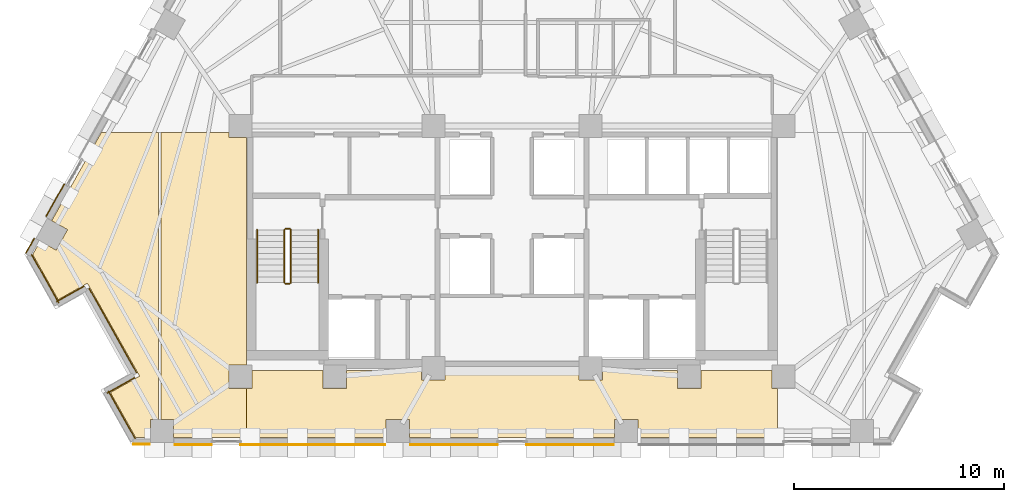
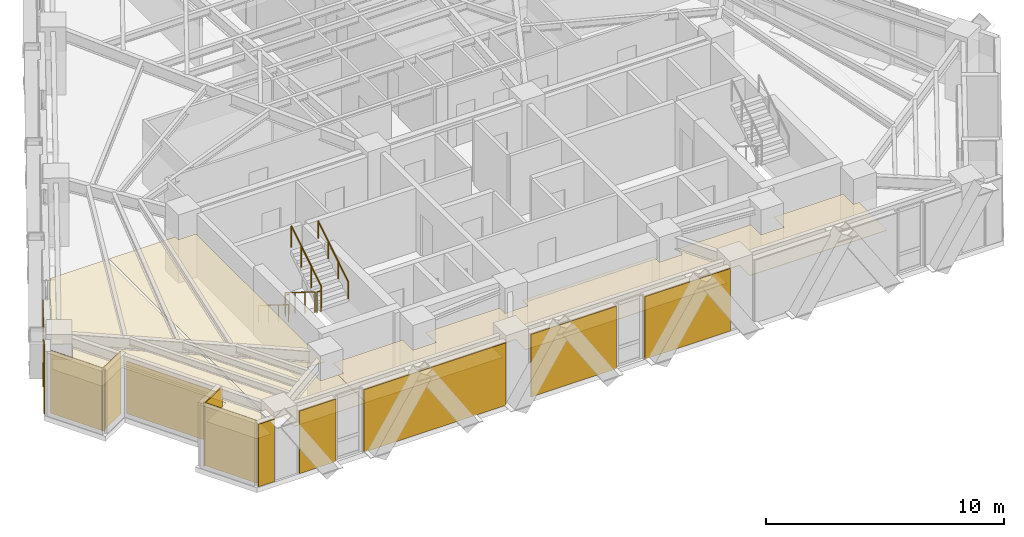
# One storey, part 10 of 13: 15 coverings, 6 railings.
"""IFC4 building model written with IfcOpenShell, lengths in metres."""

from ifc_helpers import new_model, si_unit, direction, frame, origin, origin_2d, place, context, subcontext, project, spatial, polyline, circle, outline, extrude, material, layer, layer_set, type_object, element, save


model = new_model("IFC4")

# Units and contexts
model_context = context("Model", 3, precision=1e-05, world=origin(), true_north=direction((0.0, 1.0)))
body_context = subcontext(model_context, "Body", "Model", "MODEL_VIEW")
ifc_project = project(units=[si_unit("LENGTHUNIT", "METRE"), si_unit("AREAUNIT", "SQUARE_METRE"), si_unit("VOLUMEUNIT", "CUBIC_METRE"), si_unit("PLANEANGLEUNIT", "RADIAN"), si_unit("MASSUNIT", "GRAM", prefix="KILO")], contexts=[model_context])

# Site, building, storey
site_placement = place(None, origin())
site = spatial("IfcSite", under=ifc_project, at=site_placement, CompositionType="ELEMENT")
building_placement = place(site_placement, origin())
building = spatial("IfcBuilding", under=site, at=building_placement, Name="Quenlor Broadcast Tower", CompositionType="ELEMENT")
storey_placement = place(building_placement, frame((0.0, 0.0, 116.0)))
storey = spatial("IfcBuildingStorey", under=building, at=storey_placement, Name="L31", CompositionType="ELEMENT", Elevation=116.0)

# Coverings
ifc_material_1 = material(Name="Acoustic Mineral Fibre Board", Category="other")
ifc_layer_1 = layer(ifc_material_1, 0.02490234375)
ifc_layer_set_1 = layer_set([ifc_layer_1], Name="Acoustic Perforated Mineral Tile Ceiling 25")
covering_type_1 = type_object("IfcCoveringType", Name="Acoustic Perforated Mineral Tile Ceiling 25", PredefinedType="CEILING", material=ifc_layer_set_1)
covering_1_placement = place(storey_placement, frame((0.0, 0.0, 2.22509765625)))
element("IfcCovering", 1, at=covering_1_placement, inside=storey, type_object=covering_type_1, Name="L31 Acoustic Ceiling L31-35-4", PredefinedType="CEILING", context=body_context, shape_type="SweptSolid", body=[
    extrude(outline(polyline([(-13.508056640625, -5.35791015625), (-12.64990234375, -5.35791015625), (-12.64990234375, -16.19189453125), (-13.508056640625, -16.19189453125), (-13.508056640625, -17.30810546875), (-12.64990234375, -17.30810546875), (-12.64990234375, -19.659912109375), (-16.134521484375, -19.659912109375), (-16.134521484375, -18.7919921875), (-16.739990234375, -18.7919921875), (-16.739990234375, -5.1201171875), (-13.508056640625, -5.1201171875), (-13.508056640625, -5.35791015625)])), origin(), (0.0, 0.0, 1.0), 0.02490234375),
])
covering_2_placement = place(storey_placement, frame((0.0, 0.0, 2.22509765625)))
element("IfcCovering", 2, at=covering_2_placement, inside=storey, type_object=covering_type_1, Name="L31 Acoustic Ceiling L31-35-5", PredefinedType="CEILING", context=body_context, shape_type="SweptSolid", body=[
    extrude(outline(polyline([(-16.860107421875, -18.7919921875), (-17.25048828125, -18.7919921875), (-17.25048828125, -19.659912109375), (-17.9453125, -19.659912109375), (-19.15380859375, -17.510986328125), (-17.759521484375, -16.7265625), (-20.25, -12.299072265625), (-21.64453125, -13.08349609375), (-22.85693359375, -10.927978515625), (-22.49853515625, -10.290771484375), (-21.741943359375, -10.71630859375), (-21.19482421875, -9.74365234375), (-21.951416015625, -9.318115234375), (-19.58984375, -5.1201171875), (-16.860107421875, -5.1201171875), (-16.860107421875, -18.7919921875)])), origin(), (0.0, 0.0, 1.0), 0.02490234375),
])
covering_3_placement = place(storey_placement, frame((0.0, 0.0, 2.22509765625)))
element("IfcCovering", 3, at=covering_3_placement, inside=storey, type_object=covering_type_1, Name="L31 Acoustic Ceiling L31-35-8", PredefinedType="CEILING", context=body_context, shape_type="SweptSolid", body=[
    extrude(outline(polyline([(-12.39208984375, -17.30810546875), (-12.39208984375, -16.449951171875), (-9.008056640625, -16.449951171875), (-9.008056640625, -17.30810546875), (-7.89208984375, -17.30810546875), (-7.89208984375, -16.449951171875), (-4.30810546875, -16.449951171875), (-4.30810546875, -16.907958984375), (-3.19189453125, -16.907958984375), (-3.19189453125, -16.449951171875), (3.19189453125, -16.449951171875), (3.19189453125, -16.907958984375), (4.30810546875, -16.907958984375), (4.30810546875, -16.449951171875), (7.89208984375, -16.449951171875), (7.89208984375, -17.30810546875), (9.008056640625, -17.30810546875), (9.008056640625, -16.449951171875), (12.39208984375, -16.449951171875), (12.39208984375, -17.30810546875), (12.64990234375, -17.30810546875), (12.64990234375, -19.659912109375), (6.001220703125, -19.659912109375), (6.001220703125, -18.7919921875), (4.88525390625, -18.7919921875), (4.88525390625, -19.659912109375), (-4.88525390625, -19.659912109375), (-4.88525390625, -18.7919921875), (-6.001220703125, -18.7919921875), (-6.001220703125, -19.659912109375), (-12.64990234375, -19.659912109375), (-12.64990234375, -17.30810546875), (-12.39208984375, -17.30810546875)])), origin(), (0.0, 0.0, 1.0), 0.02490234375),
])
ifc_material_2 = material(Name="Architectural Terracotta Ceramic", Category="masonry")
ifc_layer_2 = layer(ifc_material_2, 0.044921875)
ifc_layer_set_2 = layer_set([ifc_layer_2], Name="Fluted Terracotta Rainscreen Cladding Panel")
covering_type_2 = type_object("IfcCoveringType", Name="Fluted Terracotta Rainscreen Cladding Panel", PredefinedType="CLADDING", material=ifc_layer_set_2)
covering_4_placement = place(storey_placement, frame((0.0, 0.0, 0.02001953125)))
element("IfcCovering", 4, at=covering_4_placement, inside=storey, type_object=covering_type_2, Name="L31 Terracotta Rainscreen Cladding L31-SHD-SS1", PredefinedType="CLADDING", context=body_context, shape_type="SweptSolid", body=[
    extrude(outline(polyline([(-17.277587890625, -19.951904296875), (-18.053955078125, -19.951904296875), (-18.053955078125, -19.9970703125), (-17.277587890625, -19.9970703125), (-17.277587890625, -19.951904296875)])), origin(), (0.0, 0.0, 1.0), 3.2099609375),
])
covering_5_placement = place(storey_placement, frame((0.0, 0.0, 0.02001953125)))
element("IfcCovering", 5, at=covering_5_placement, inside=storey, type_object=covering_type_2, Name="L31 Terracotta Rainscreen Cladding L31-SC-SP1", PredefinedType="CLADDING", context=body_context, shape_type="SweptSolid", body=[
    extrude(outline(polyline([(-6.048095703125, -19.971923828125), (-12.94873046875, -19.971923828125), (-12.94873046875, -20.01708984375), (-6.048095703125, -20.01708984375), (-6.048095703125, -19.971923828125)])), origin(), (0.0, 0.0, 1.0), 3.2099609375),
])
covering_6_placement = place(storey_placement, frame((0.0, 0.0, 0.02001953125)))
element("IfcCovering", 6, at=covering_6_placement, inside=storey, type_object=covering_type_2, Name="L31 Terracotta Rainscreen Cladding L31-SC-SP2", PredefinedType="CLADDING", context=body_context, shape_type="SweptSolid", body=[
    extrude(outline(polyline([(-14.32177734375, -19.971923828125), (-16.08740234375, -19.971923828125), (-16.08740234375, -20.01708984375), (-14.32177734375, -20.01708984375), (-14.32177734375, -19.971923828125)])), origin(), (0.0, 0.0, 1.0), 3.2099609375),
])
covering_7_placement = place(storey_placement, frame((0.0, 0.0, 0.02001953125)))
element("IfcCovering", 7, at=covering_7_placement, inside=storey, type_object=covering_type_2, Name="L31 Terracotta Rainscreen Cladding L31-S-SP1", PredefinedType="CLADDING", context=body_context, shape_type="SweptSolid", body=[
    extrude(outline(polyline([(4.84326171875, -19.971923828125), (0.6865234375, -19.971923828125), (0.6865234375, -20.01708984375), (4.84326171875, -20.01708984375), (4.84326171875, -19.971923828125)])), origin(), (0.0, 0.0, 1.0), 3.2099609375),
])
covering_8_placement = place(storey_placement, frame((0.0, 0.0, 0.02001953125)))
element("IfcCovering", 8, at=covering_8_placement, inside=storey, type_object=covering_type_2, Name="L31 Terracotta Rainscreen Cladding L31-S-SP2", PredefinedType="CLADDING", context=body_context, shape_type="SweptSolid", body=[
    extrude(outline(polyline([(-0.6865234375, -19.971923828125), (-4.84326171875, -19.971923828125), (-4.84326171875, -20.01708984375), (-0.6865234375, -20.01708984375), (-0.6865234375, -19.971923828125)])), origin(), (0.0, 0.0, 1.0), 3.2099609375),
])
covering_9_placement = place(storey_placement, frame((0.0, 0.0, 0.02001953125)))
element("IfcCovering", 9, at=covering_9_placement, inside=storey, type_object=covering_type_2, Name="L31 Terracotta Rainscreen Cladding L31-SHD-NWS0", PredefinedType="CLADDING", context=body_context, shape_type="SweptSolid", body=[
    extrude(outline(polyline([(-23.160888671875, -10.873046875), (-22.76611328125, -10.171142578125), (-22.805419921875, -10.149169921875), (-23.2001953125, -10.85107421875), (-23.160888671875, -10.873046875)])), origin(), (0.0, 0.0, 1.0), 3.2099609375),
])
covering_10_placement = place(storey_placement, frame((0.0, 0.0, 0.02001953125)))
element("IfcCovering", 10, at=covering_10_placement, inside=storey, type_object=covering_type_2, Name="L31 Terracotta Rainscreen Cladding L31-NWA-SP1", PredefinedType="CLADDING", context=body_context, shape_type="SweptSolid", body=[
    extrude(outline(polyline([(-22.2001953125, -9.1240234375), (-21.325927734375, -7.56982421875), (-21.364990234375, -7.5478515625), (-22.239501953125, -9.10205078125), (-22.2001953125, -9.1240234375)])), origin(), (0.0, 0.0, 1.0), 3.2099609375),
])
covering_11_placement = place(storey_placement, frame((0.0, 0.0, 0.02001953125)))
element("IfcCovering", 11, at=covering_11_placement, inside=storey, type_object=covering_type_2, Name="L31 Terracotta Rainscreen Cladding L31-CNR-12", PredefinedType="CLADDING", context=body_context, shape_type="SweptSolid", body=[
    extrude(outline(polyline([(-22.931396484375, -10.93408203125), (-21.630126953125, -13.24755859375), (-21.591064453125, -13.2255859375), (-22.892333984375, -10.912109375), (-22.931396484375, -10.93408203125)])), origin(), (0.0, 0.0, 1.0), 3.2099609375),
])
covering_12_placement = place(storey_placement, frame((0.0, 0.0, 0.02001953125)))
element("IfcCovering", 12, at=covering_12_placement, inside=storey, type_object=covering_type_2, Name="L31 Terracotta Rainscreen Cladding L31-CNR-13", PredefinedType="CLADDING", context=body_context, shape_type="SweptSolid", body=[
    extrude(outline(polyline([(-21.70703125, -13.19677734375), (-20.399658203125, -12.461181640625), (-20.421630859375, -12.422119140625), (-21.72900390625, -13.157470703125), (-21.70703125, -13.19677734375)])), origin(), (0.0, 0.0, 1.0), 3.2099609375),
])
covering_13_placement = place(storey_placement, frame((0.0, 0.0, 0.02001953125)))
element("IfcCovering", 13, at=covering_13_placement, inside=storey, type_object=covering_type_2, Name="L31 Terracotta Rainscreen Cladding L31-CNR-14", PredefinedType="CLADDING", context=body_context, shape_type="SweptSolid", body=[
    extrude(outline(polyline([(-20.186767578125, -12.55029296875), (-17.921630859375, -16.576904296875), (-17.88232421875, -16.554931640625), (-20.1474609375, -12.5283203125), (-20.186767578125, -12.55029296875)])), origin(), (0.0, 0.0, 1.0), 2.681884765625),
])
covering_14_placement = place(storey_placement, frame((0.0, 0.0, 0.02001953125)))
element("IfcCovering", 14, at=covering_14_placement, inside=storey, type_object=covering_type_2, Name="L31 Terracotta Rainscreen Cladding L31-CNR-15", PredefinedType="CLADDING", context=body_context, shape_type="SweptSolid", body=[
    extrude(outline(polyline([(-18.010498046875, -16.789794921875), (-19.31787109375, -17.525390625), (-19.2958984375, -17.564697265625), (-17.988525390625, -16.8291015625), (-18.010498046875, -16.789794921875)])), origin(), (0.0, 0.0, 1.0), 3.2099609375),
])
covering_15_placement = place(storey_placement, frame((0.0, 0.0, 0.02001953125)))
element("IfcCovering", 15, at=covering_15_placement, inside=storey, type_object=covering_type_2, Name="L31 Terracotta Rainscreen Cladding L31-CNR-16", PredefinedType="CLADDING", context=body_context, shape_type="SweptSolid", body=[
    extrude(outline(polyline([(-19.26708984375, -17.448486328125), (-17.987060546875, -19.72412109375), (-17.947998046875, -19.7021484375), (-19.227783203125, -17.426513671875), (-19.26708984375, -17.448486328125)])), origin(), (0.0, 0.0, 1.0), 3.2099609375),
])

# Railings
ifc_material_3 = material(Name="Anodised Aluminium", Category="aluminium")
railing_type_1 = type_object("IfcRailingType", Name="Stainless Aluminium Wall Handrail 900", PredefinedType="HANDRAIL", material=ifc_material_3)
railing_1_placement = place(storey_placement, frame((-12.14990234375, -9.75, 0.175048828125)))
element("IfcRailing", 16, at=railing_1_placement, inside=storey, type_object=railing_type_1, Name="L31 ST-1 stair handrail 1", PredefinedType="HANDRAIL", context=body_context, shape_type="SweptSolid", body=[
    extrude(circle(Radius=0.02392578125, at=origin_2d()), frame((0.0, 0.0, 0.8759765625), z_axis=(0.0, -0.848007534815, 0.529984170421), x_axis=(1.0, 0.0, 0.0)), (0.0, 0.0, 1.0), 2.9716796875),
    extrude(circle(Radius=0.02099609375, at=origin_2d()), origin(), (0.0, 0.0, 1.0), 0.851806640625),
    extrude(circle(Radius=0.02099609375, at=origin_2d()), frame((0.0, -0.840087890625, 0.52490234375)), (0.0, 0.0, 1.0), 0.851806640625),
    extrude(circle(Radius=0.02099609375, at=origin_2d()), frame((0.0, -1.679931640625, 1.050048828125)), (0.0, 0.0, 1.0), 0.851806640625),
    extrude(circle(Radius=0.02099609375, at=origin_2d()), frame((0.0, -2.52001953125, 1.574951171875)), (0.0, 0.0, 1.0), 0.851806640625),
])
railing_2_placement = place(storey_placement, frame((-9.25, -12.27001953125, 1.925048828125)))
element("IfcRailing", 17, at=railing_2_placement, inside=storey, type_object=railing_type_1, Name="L31 ST-1 stair handrail 2", PredefinedType="HANDRAIL", context=body_context, shape_type="SweptSolid", body=[
    extrude(circle(Radius=0.02392578125, at=origin_2d()), frame((0.0, 0.0, 0.8759765625), z_axis=(0.0, 0.848007534815, 0.529984170421), x_axis=(-1.0, 0.0, 0.0)), (0.0, 0.0, 1.0), 2.9716796875),
    extrude(circle(Radius=0.02099609375, at=origin_2d()), origin(), (0.0, 0.0, 1.0), 0.851806640625),
    extrude(circle(Radius=0.02099609375, at=origin_2d()), frame((0.0, 0.840087890625, 0.52490234375)), (0.0, 0.0, 1.0), 0.851806640625),
    extrude(circle(Radius=0.02099609375, at=origin_2d()), frame((0.0, 1.679931640625, 1.050048828125)), (0.0, 0.0, 1.0), 0.851806640625),
    extrude(circle(Radius=0.02099609375, at=origin_2d()), frame((0.0, 2.52001953125, 1.574951171875)), (0.0, 0.0, 1.0), 0.851806640625),
])
ifc_material_4 = material(Name="Steel S355", Category="steel")
railing_type_2 = type_object("IfcRailingType", Name="Tubular Steel S355 Stair Guardrail 1100", PredefinedType="BALUSTRADE", material=ifc_material_4)
railing_3_placement = place(storey_placement, frame((-10.85009765625, -9.75, 0.175048828125)))
element("IfcRailing", 18, at=railing_3_placement, inside=storey, type_object=railing_type_2, Name="L31 ST-1 stair guard 1", PredefinedType="BALUSTRADE", context=body_context, shape_type="SweptSolid", body=[
    extrude(circle(Radius=0.02392578125, at=origin_2d()), frame((0.0, 0.0, 1.076171875), z_axis=(0.0, -0.848007534815, 0.529984170421), x_axis=(1.0, 0.0, 0.0)), (0.0, 0.0, 1.0), 2.9716796875),
    extrude(circle(Radius=0.02099609375, at=origin_2d()), origin(), (0.0, 0.0, 1.0), 1.052001953125),
    extrude(circle(Radius=0.02099609375, at=origin_2d()), frame((0.0, -0.840087890625, 0.52490234375)), (0.0, 0.0, 1.0), 1.052001953125),
    extrude(circle(Radius=0.02099609375, at=origin_2d()), frame((0.0, -1.679931640625, 1.050048828125)), (0.0, 0.0, 1.0), 1.052001953125),
    extrude(circle(Radius=0.02099609375, at=origin_2d()), frame((0.0, -2.52001953125, 1.574951171875)), (0.0, 0.0, 1.0), 1.052001953125),
])
railing_4_placement = place(storey_placement, frame((-10.800048828125, -12.320068359375, 1.75)))
element("IfcRailing", 19, at=railing_4_placement, inside=storey, type_object=railing_type_2, Name="L31 ST-1 stair guard 2", PredefinedType="BALUSTRADE", context=body_context, shape_type="SweptSolid", body=[
    extrude(circle(Radius=0.02392578125, at=origin_2d()), frame((0.0, 0.0, 1.076171875), z_axis=(1.0, 0.0, 0.0), x_axis=(0.0, 1.0, 0.0)), (0.0, 0.0, 1.0), 0.199951171875),
    extrude(circle(Radius=0.02099609375, at=origin_2d()), origin(), (0.0, 0.0, 1.0), 1.052001953125),
    extrude(circle(Radius=0.02099609375, at=origin_2d()), frame((0.199951171875, 0.0, 0.0)), (0.0, 0.0, 1.0), 1.052001953125),
])
railing_5_placement = place(storey_placement, frame((-10.550048828125, -12.27001953125, 1.925048828125)))
element("IfcRailing", 20, at=railing_5_placement, inside=storey, type_object=railing_type_2, Name="L31 ST-1 stair guard 3", PredefinedType="BALUSTRADE", context=body_context, shape_type="SweptSolid", body=[
    extrude(circle(Radius=0.02392578125, at=origin_2d()), frame((0.0, 0.0, 1.076171875), z_axis=(0.0, 0.848007534815, 0.529984170421), x_axis=(-1.0, 0.0, 0.0)), (0.0, 0.0, 1.0), 2.9716796875),
    extrude(circle(Radius=0.02099609375, at=origin_2d()), origin(), (0.0, 0.0, 1.0), 1.052001953125),
    extrude(circle(Radius=0.02099609375, at=origin_2d()), frame((0.0, 0.840087890625, 0.52490234375)), (0.0, 0.0, 1.0), 1.052001953125),
    extrude(circle(Radius=0.02099609375, at=origin_2d()), frame((0.0, 1.679931640625, 1.050048828125)), (0.0, 0.0, 1.0), 1.052001953125),
    extrude(circle(Radius=0.02099609375, at=origin_2d()), frame((0.0, 2.52001953125, 1.574951171875)), (0.0, 0.0, 1.0), 1.052001953125),
])
railing_6_placement = place(storey_placement, frame((-10.800048828125, -9.699951171875, 0.0)))
element("IfcRailing", 21, at=railing_6_placement, inside=storey, type_object=railing_type_2, Name="L31 ST-1 stair guard 4", PredefinedType="BALUSTRADE", context=body_context, shape_type="SweptSolid", body=[
    extrude(circle(Radius=0.02392578125, at=origin_2d()), frame((0.0, 0.0, 1.076171875), z_axis=(1.0, 0.0, 0.0), x_axis=(0.0, 1.0, 0.0)), (0.0, 0.0, 1.0), 0.199951171875),
    extrude(circle(Radius=0.02099609375, at=origin_2d()), origin(), (0.0, 0.0, 1.0), 1.052001953125),
    extrude(circle(Radius=0.02099609375, at=origin_2d()), frame((0.199951171875, 0.0, 0.0)), (0.0, 0.0, 1.0), 1.052001953125),
])

save(model, "model.ifc")
